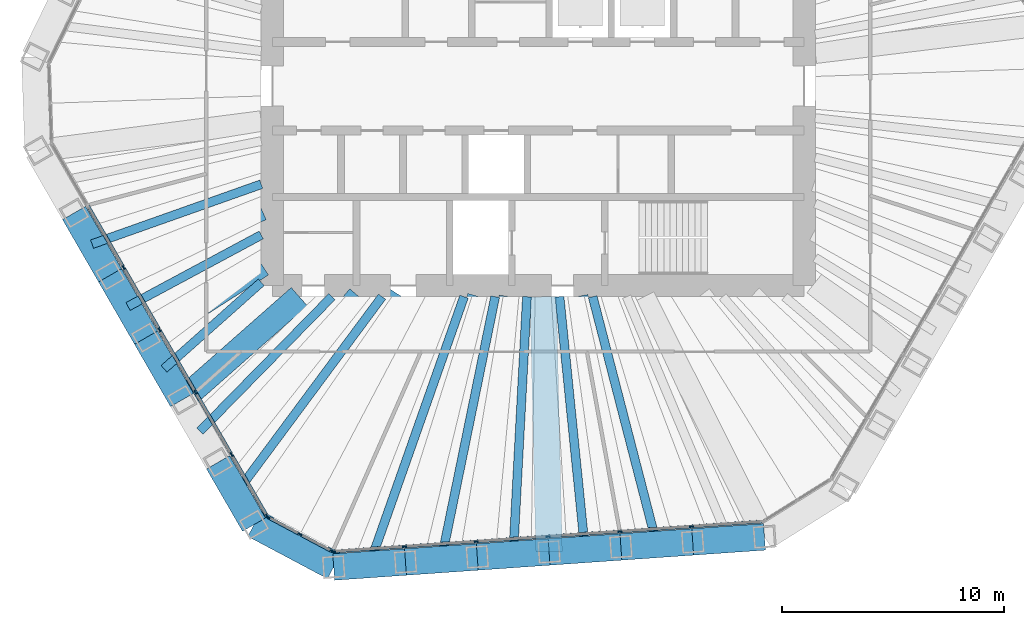
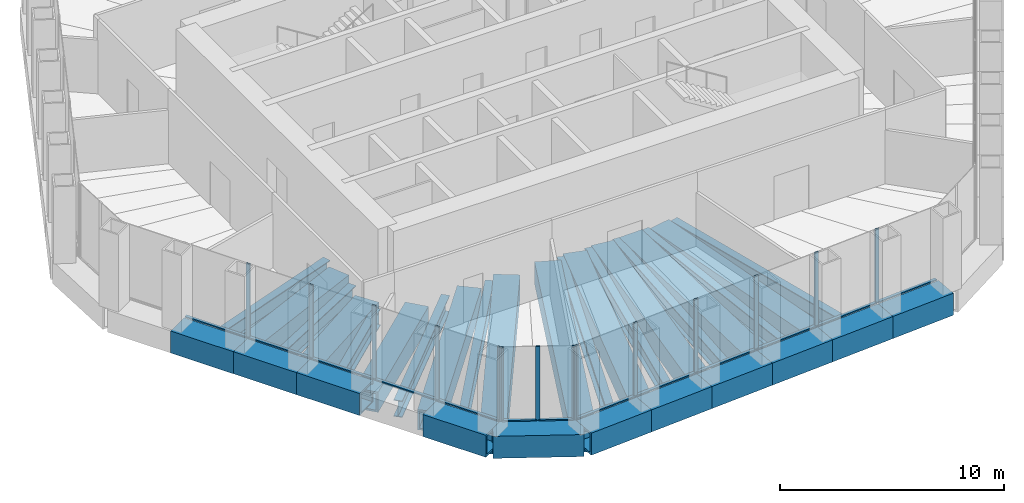
# One storey, part 2 of 19: 38 members, 20 beams, 3 elements without a shape of their own.
"""IFC4 building model written with IfcOpenShell, lengths in metres."""

import ifcopenshell
import ifcopenshell.guid

model = None  # the IFC model being written
_history = None  # IfcOwnerHistory: only IFC2X3 demands one
_inside = {}  # id of a spatial element -> (the spatial element, [elements in it])
_under = {}  # id of a project, library or spatial element -> (it, [spatial elements below it])
_declared = {}  # id of a project -> (the project, [libraries it declares])
_typed = {}  # id of a type object -> (the type object, [elements of that type])
_made_of = {}  # id of a material, layer set ... -> (it, [elements and type objects made of it])


def new_model(schema):
    """Start an empty IFC model of exactly this schema.

    Asked for "IFC4X3", IfcOpenShell would pick the latest addendum, in which some entities
    have other attributes; the version numbers below select the first issue.
    IFC2X3 requires an IfcOwnerHistory on every rooted entity: one is made here for all.
    """
    global model, _history
    if schema == "IFC4X3":
        model = ifcopenshell.file(schema_version=(4, 3, 0, 0))
    else:
        model = ifcopenshell.file(schema=schema)
    _inside.clear()
    _under.clear()
    _declared.clear()
    _typed.clear()
    _made_of.clear()
    _history = None
    if model.schema == "IFC2X3":
        org = make("IfcOrganization", Name="unknown")
        user = make(
            "IfcPersonAndOrganization",
            ThePerson=make("IfcPerson", FamilyName="unknown"),
            TheOrganization=org,
        )
        app = make(
            "IfcApplication",
            ApplicationDeveloper=org,
            Version="unknown",
            ApplicationFullName="unknown",
            ApplicationIdentifier="unknown",
        )
        _history = make(
            "IfcOwnerHistory",
            OwningUser=user,
            OwningApplication=app,
            ChangeAction="ADDED",
            CreationDate=0,
        )
    return model


def make(cls, **values):
    """One entity of the class cls with the attributes given. An attribute that is None is left unset."""
    return model.create_entity(
        cls, **{name: value for name, value in values.items() if value is not None}
    )


def rooted(cls, **values):
    """An entity with a GlobalId (a new one), such as an element, a storey or a relation."""
    return make(cls, GlobalId=ifcopenshell.guid.new(), OwnerHistory=_history, **values)


def si_unit(unit_type, name, prefix=None):
    """IfcSIUnit, for example si_unit("LENGTHUNIT", "METRE", prefix="MILLI")."""
    return make("IfcSIUnit", UnitType=unit_type, Prefix=prefix, Name=name)


def assignment(units):
    """IfcUnitAssignment: the units of a project."""
    return None if units is None else make("IfcUnitAssignment", Units=units)


def point(xyz):
    """IfcCartesianPoint."""
    return None if xyz is None else make("IfcCartesianPoint", Coordinates=xyz)


def direction(xyz):
    """IfcDirection."""
    return None if xyz is None else make("IfcDirection", DirectionRatios=xyz)


def frame(location, z_axis=None, x_axis=None):
    """IfcAxis2Placement3D, a coordinate frame: its origin and axes. An axis left out is left unset."""
    return make(
        "IfcAxis2Placement3D",
        Location=point(location),
        Axis=direction(z_axis),
        RefDirection=direction(x_axis),
    )


def frame_2d(location, x_axis=None):
    """IfcAxis2Placement2D, a coordinate frame in the plane: its origin and x axis."""
    return make(
        "IfcAxis2Placement2D", Location=point(location), RefDirection=direction(x_axis)
    )


def origin():
    """The frame at (0, 0, 0) with its axes left unset."""
    return frame((0.0, 0.0, 0.0))


def origin_2d():
    """The frame at (0, 0) in the plane with its x axis left unset."""
    return frame_2d((0.0, 0.0))


def place(relative_to, where):
    """IfcLocalPlacement: puts the frame where relative to a parent placement (None: the world)."""
    return make(
        "IfcLocalPlacement", PlacementRelTo=relative_to, RelativePlacement=where
    )


def context(
    kind, dimensions, precision=None, world=None, true_north=None, identifier=None
):
    """IfcGeometricRepresentationContext, for example the 3D "Model" context."""
    return make(
        "IfcGeometricRepresentationContext",
        ContextIdentifier=identifier,
        ContextType=kind,
        CoordinateSpaceDimension=dimensions,
        Precision=precision,
        WorldCoordinateSystem=world,
        TrueNorth=true_north,
    )


def subcontext(parent, identifier, kind, view, scale=None):
    """IfcGeometricRepresentationSubContext, for example "Body" below "Model"."""
    return make(
        "IfcGeometricRepresentationSubContext",
        ContextIdentifier=identifier,
        ContextType=kind,
        ParentContext=parent,
        TargetScale=scale,
        TargetView=view,
    )


def project(units=None, contexts=None):
    """IfcProject with its units and contexts."""
    return rooted(
        "IfcProject",
        Name="project",
        RepresentationContexts=contexts,
        UnitsInContext=assignment(units),
    )


def spatial(cls, under=None, at=None, **own):
    """A site, building, storey or space (cls), placed at a placement, below another one or the project."""
    s = rooted(cls, ObjectPlacement=at, **own)
    if under is not None:
        _under.setdefault(under.id(), (under, []))[1].append(s)
    return s


def profile(cls, at=None, kind="AREA", **sizes):
    """A parametric profile (cls). Its sizes go by their IFC names, for example OverallWidth=200.0."""
    return make(cls, ProfileType=kind, Position=at, **sizes)


def rectangle(**sizes):
    """IfcRectangleProfileDef."""
    return profile("IfcRectangleProfileDef", **sizes)


def hollow_rectangle(**sizes):
    """IfcRectangleHollowProfileDef."""
    return profile("IfcRectangleHollowProfileDef", **sizes)


def i_section(**sizes):
    """IfcIShapeProfileDef."""
    return profile("IfcIShapeProfileDef", **sizes)


def extrude(swept, where, along, depth):
    """IfcExtrudedAreaSolid: the profile swept, set in the frame where, extruded along a direction by depth."""
    return make(
        "IfcExtrudedAreaSolid",
        SweptArea=swept,
        Position=where,
        ExtrudedDirection=direction(along),
        Depth=depth,
    )


def shape(context_of_items, identifier, shape_type, items):
    """IfcShapeRepresentation: the items that make up one representation, for example the "Body"."""
    return make(
        "IfcShapeRepresentation",
        ContextOfItems=context_of_items,
        RepresentationIdentifier=identifier,
        RepresentationType=shape_type,
        Items=items,
    )


def material(Name=None, Category=None):
    """IfcMaterial."""
    return make("IfcMaterial", Name=Name, Category=Category)


def material_profile(
    of_material, cross_section, Name=None, Category=None, Priority=None
):
    """IfcMaterialProfile: a cross section and its material."""
    return make(
        "IfcMaterialProfile",
        Name=Name,
        Material=of_material,
        Profile=cross_section,
        Priority=Priority,
        Category=Category,
    )


def profile_set(profiles, Name=None, composite=None):
    """IfcMaterialProfileSet."""
    return make(
        "IfcMaterialProfileSet",
        Name=Name,
        MaterialProfiles=profiles,
        CompositeProfile=composite,
    )


def made_of(thing, what):
    """Note that an element or type object is made of a material, layer set ...; save() writes the relation."""
    if what is not None:
        _made_of.setdefault(what.id(), (what, []))[1].append(thing)
    return thing


def type_object(cls, material=None, **own):
    """A type object (cls), such as IfcWallType, which elements share."""
    return made_of(rooted(cls, **own), material)


def element(
    cls,
    number,
    at=None,
    inside=None,
    cuts=None,
    type_object=None,
    material=None,
    context=None,
    identifier="Body",
    shape_type=None,
    held_by="IfcProductDefinitionShape",
    body=None,
    shapes=None,
    **own,
):
    """One element of the class cls, such as IfcWall. Its Tag is "e" and its number.

    at: its placement. inside: the storey or other place that contains it. cuts: it is an
    opening in that element (IfcRelVoidsElement). A single representation is given by context,
    identifier, shape_type and body (its items); several are given by shapes. held_by: the class
    of the entity that holds the representations. save() writes the other relations.
    """
    e = rooted(cls, Tag="e%d" % number, ObjectPlacement=at, **own)
    if body is not None:
        shapes = [shape(context, identifier, shape_type, body)]
    if shapes is not None:
        e.Representation = make(held_by, Representations=shapes)
    if inside is not None:
        _inside.setdefault(inside.id(), (inside, []))[1].append(e)
    if cuts is not None:
        rooted(
            "IfcRelVoidsElement", RelatingBuildingElement=cuts, RelatedOpeningElement=e
        )
    if type_object is not None:
        _typed.setdefault(type_object.id(), (type_object, []))[1].append(e)
    return made_of(e, material)


def aggregate(whole, parts):
    """IfcRelAggregates: a whole, such as a stair, and the parts it consists of."""
    return rooted("IfcRelAggregates", RelatingObject=whole, RelatedObjects=parts)


def save(model, path):
    """Write the relations noted so far, then the file.

    IfcRelAggregates (storeys below a building ...), IfcRelContainedInSpatialStructure (elements
    in a storey), IfcRelDefinesByType, IfcRelAssociatesMaterial and IfcRelDeclares: one each for
    every whole, place, type object, material and project.
    """
    for whole, parts in _under.values():
        aggregate(whole, parts)
    for where, things in _inside.values():
        rooted(
            "IfcRelContainedInSpatialStructure",
            RelatedElements=things,
            RelatingStructure=where,
        )
    for kind, things in _typed.values():
        rooted("IfcRelDefinesByType", RelatedObjects=things, RelatingType=kind)
    for what, things in _made_of.values():
        rooted("IfcRelAssociatesMaterial", RelatedObjects=things, RelatingMaterial=what)
    for by, libraries in _declared.values():
        rooted("IfcRelDeclares", RelatingContext=by, RelatedDefinitions=libraries)
    model.write(path)


model = new_model("IFC4")

# Units and contexts
model_context = context("Model", 3, precision=1e-05, world=origin(), true_north=direction((0.0, 1.0)))
body_context = subcontext(model_context, "Body", "Model", "MODEL_VIEW")
ifc_project = project(units=[si_unit("LENGTHUNIT", "METRE"), si_unit("AREAUNIT", "SQUARE_METRE"), si_unit("VOLUMEUNIT", "CUBIC_METRE"), si_unit("PLANEANGLEUNIT", "RADIAN"), si_unit("MASSUNIT", "GRAM", prefix="KILO")], contexts=[model_context])

# Site, building, storey
site_placement = place(None, origin())
site = spatial("IfcSite", under=ifc_project, at=site_placement, CompositionType="ELEMENT")
building_placement = place(site_placement, origin())
building = spatial("IfcBuilding", under=site, at=building_placement, Name="Qingtian Harvest Tower", CompositionType="ELEMENT")
storey_placement = place(building_placement, frame((0.0, 0.0, 262.0)))
storey = spatial("IfcBuildingStorey", under=building, at=storey_placement, Name="L57", CompositionType="ELEMENT", Elevation=262.0)

# Members
ifc_material_1 = material(Name="Steel SM570MC", Category="steel")
ifc_material_profile_1 = material_profile(ifc_material_1, hollow_rectangle(XDim=1.199951171875, YDim=1.199951171875, WallThickness=0.10009765625, at=origin_2d()), Name="BOX1200x1200x100")
ifc_profile_set_1 = profile_set([ifc_material_profile_1], Name="Steel SM570MC")
member_type_1 = type_object("IfcMemberType", Name="Belt truss chord BC3 BOX1200x1200x100", PredefinedType="CHORD", material=ifc_profile_set_1)
member_1_placement = place(storey_placement, frame((10.20947265625, -20.33740234375, -0.60009765625), z_axis=(-0.9975644093, -0.069751339047, 0.0), x_axis=(0.069751339047, -0.9975644093, 0.0)))
element("IfcMember", 1, at=member_1_placement, inside=storey, type_object=member_type_1, Name="Belt chord BC3 S0", PredefinedType="CHORD", context=body_context, shape_type="SweptSolid", body=[
    extrude(hollow_rectangle(XDim=1.199951171875, YDim=1.199951171875, WallThickness=0.10009765625, at=origin_2d()), origin(), (0.0, 0.0, 1.0), 3.248046875),
])
member_2_placement = place(storey_placement, frame((6.96923828125, -20.56396484375, -0.60009765625), z_axis=(-0.997564043571, -0.069756569394, 0.0), x_axis=(0.069756569394, -0.997564043571, 0.0)))
element("IfcMember", 2, at=member_2_placement, inside=storey, type_object=member_type_1, Name="Belt chord BC3 S1", PredefinedType="CHORD", context=body_context, shape_type="SweptSolid", body=[
    extrude(hollow_rectangle(XDim=1.199951171875, YDim=1.199951171875, WallThickness=0.10009765625, at=origin_2d()), origin(), (0.0, 0.0, 1.0), 3.247802734375),
])
member_3_placement = place(storey_placement, frame((3.729248046875, -20.79052734375, -0.60009765625), z_axis=(-0.9975644093, -0.069751339047, 0.0), x_axis=(0.069751339047, -0.9975644093, 0.0)))
element("IfcMember", 3, at=member_3_placement, inside=storey, type_object=member_type_1, Name="Belt chord BC3 S2", PredefinedType="CHORD", context=body_context, shape_type="SweptSolid", body=[
    extrude(hollow_rectangle(XDim=1.199951171875, YDim=1.199951171875, WallThickness=0.10009765625, at=origin_2d()), origin(), (0.0, 0.0, 1.0), 3.248046875),
])
member_4_placement = place(storey_placement, frame((0.489013671875, -21.01708984375, -0.60009765625), z_axis=(-0.997564043571, -0.069756569394, 0.0), x_axis=(0.069756569394, -0.997564043571, 0.0)))
element("IfcMember", 4, at=member_4_placement, inside=storey, type_object=member_type_1, Name="Belt chord BC3 S3", PredefinedType="CHORD", context=body_context, shape_type="SweptSolid", body=[
    extrude(hollow_rectangle(XDim=1.199951171875, YDim=1.199951171875, WallThickness=0.10009765625, at=origin_2d()), origin(), (0.0, 0.0, 1.0), 3.247802734375),
])
member_5_placement = place(storey_placement, frame((-2.7509765625, -21.24365234375, -0.60009765625), z_axis=(-0.9975644093, -0.069751339047, 0.0), x_axis=(0.069751339047, -0.9975644093, 0.0)))
element("IfcMember", 5, at=member_5_placement, inside=storey, type_object=member_type_1, Name="Belt chord BC3 S4", PredefinedType="CHORD", context=body_context, shape_type="SweptSolid", body=[
    extrude(hollow_rectangle(XDim=1.199951171875, YDim=1.199951171875, WallThickness=0.10009765625, at=origin_2d()), origin(), (0.0, 0.0, 1.0), 3.248046875),
])
member_6_placement = place(storey_placement, frame((-5.9912109375, -21.47021484375, -0.60009765625), z_axis=(-0.997564043571, -0.069756569394, 0.0), x_axis=(0.069756569394, -0.997564043571, 0.0)))
element("IfcMember", 6, at=member_6_placement, inside=storey, type_object=member_type_1, Name="Belt chord BC3 S5", PredefinedType="CHORD", context=body_context, shape_type="SweptSolid", body=[
    extrude(hollow_rectangle(XDim=1.199951171875, YDim=1.199951171875, WallThickness=0.10009765625, at=origin_2d()), origin(), (0.0, 0.0, 1.0), 3.247802734375),
])
member_7_placement = place(storey_placement, frame((-9.231201171875, -21.69677734375, -0.60009765625), z_axis=(-0.882943273379, 0.469479686456, 0.0), x_axis=(-0.469479686456, -0.882943273379, 0.0)))
element("IfcMember", 7, at=member_7_placement, inside=storey, type_object=member_type_1, Name="Belt chord BC3 SC", PredefinedType="CHORD", context=body_context, shape_type="SweptSolid", body=[
    extrude(hollow_rectangle(XDim=1.199951171875, YDim=1.199951171875, WallThickness=0.10009765625, at=origin_2d()), origin(), (0.0, 0.0, 1.0), 4.07080078125),
])
for number, where, z_axis, x_axis, name in (
    (8, (-12.825439453125, -19.78564453125, -0.60009765625), (-0.500019593356, 0.866014091259, 0.0), (-0.866014091259, -0.500019593356, 0.0), "Belt chord BC3 SW0"),
    (9, (-16.073486328125, -14.159912109375, -0.60009765625), (-0.500019593356, 0.866014091259, 0.0), (-0.866014091259, -0.500019593356, 0.0), "Belt chord BC3 SW2"),
):
    element("IfcMember", number, at=place(storey_placement, frame(where, z_axis=z_axis, x_axis=x_axis)), inside=storey, type_object=member_type_1, Name=name, PredefinedType="CHORD", context=body_context, shape_type="SweptSolid", body=[
        extrude(hollow_rectangle(XDim=1.199951171875, YDim=1.199951171875, WallThickness=0.10009765625, at=origin_2d()), origin(), (0.0, 0.0, 1.0), 3.247802734375),
    ])
member_8_placement = place(storey_placement, frame((-17.697509765625, -11.34716796875, -0.60009765625), z_axis=(-0.499987045439, 0.866032882975, 0.0), x_axis=(-0.866032882975, -0.499987045439, 0.0)))
element("IfcMember", 10, at=member_8_placement, inside=storey, type_object=member_type_1, Name="Belt chord BC3 SW3", PredefinedType="CHORD", context=body_context, shape_type="SweptSolid", body=[
    extrude(hollow_rectangle(XDim=1.199951171875, YDim=1.199951171875, WallThickness=0.10009765625, at=origin_2d()), origin(), (0.0, 0.0, 1.0), 3.248046875),
])
member_9_placement = place(storey_placement, frame((-19.321533203125, -8.5341796875, -0.60009765625), z_axis=(-0.500019593356, 0.866014091259, 0.0), x_axis=(-0.866014091259, -0.500019593356, 0.0)))
element("IfcMember", 11, at=member_9_placement, inside=storey, type_object=member_type_1, Name="Belt chord BC3 SW4", PredefinedType="CHORD", context=body_context, shape_type="SweptSolid", body=[
    extrude(hollow_rectangle(XDim=1.199951171875, YDim=1.199951171875, WallThickness=0.10009765625, at=origin_2d()), origin(), (0.0, 0.0, 1.0), 3.247802734375),
])

# Beams
ifc_material_2 = material(Name="Steel SN490B", Category="steel")
ifc_material_profile_2 = material_profile(ifc_material_2, i_section(OverallWidth=0.39990234375, OverallDepth=0.89990234375, WebThickness=0.01904296875, FlangeThickness=0.035888671875, at=origin_2d()), Name="H900x400x19x36")
ifc_profile_set_2 = profile_set([ifc_material_profile_2], Name="Steel SN490B")
beam_type_1 = type_object("IfcBeamType", Name="Floor joist J4 H900x400x19x36", PredefinedType="JOIST", material=ifc_profile_set_2)
beam_1_placement = place(storey_placement, frame((5.349365234375, -20.67724609375, -0.6201171875), z_axis=(-0.250458686855, 0.968127288211, 0.0), x_axis=(-0.968127288211, -0.250458686855, 0.0)))
element("IfcBeam", 12, at=beam_1_placement, inside=storey, type_object=beam_type_1, Name="Floor joist J4 S1", PredefinedType="JOIST", context=body_context, shape_type="SweptSolid", body=[
    extrude(i_section(OverallWidth=0.39990234375, OverallDepth=0.89990234375, WebThickness=0.01904296875, FlangeThickness=0.035888671875, at=origin_2d()), origin(), (0.0, 0.0, 1.0), 11.545166015625),
])
beam_2_placement = place(storey_placement, frame((2.109130859375, -20.90380859375, -0.6201171875), z_axis=(-0.100389444623, 0.994948219461, 0.0), x_axis=(-0.994948219461, -0.100389444623, 0.0)))
element("IfcBeam", 13, at=beam_2_placement, inside=storey, type_object=beam_type_1, Name="Floor joist J4 S2", PredefinedType="JOIST", context=body_context, shape_type="SweptSolid", body=[
    extrude(i_section(OverallWidth=0.39990234375, OverallDepth=0.89990234375, WebThickness=0.01904296875, FlangeThickness=0.035888671875, at=origin_2d()), origin(), (0.0, 0.0, 1.0), 11.461669921875),
])
beam_3_placement = place(storey_placement, frame((-1.130859375, -21.13037109375, -0.6201171875), z_axis=(0.053431269754, 0.998571529442, 0.0), x_axis=(-0.998571529442, 0.053431269754, 0.0)))
element("IfcBeam", 14, at=beam_3_placement, inside=storey, type_object=beam_type_1, Name="Floor joist J4 S3", PredefinedType="JOIST", context=body_context, shape_type="SweptSolid", body=[
    extrude(i_section(OverallWidth=0.39990234375, OverallDepth=0.89990234375, WebThickness=0.01904296875, FlangeThickness=0.035888671875, at=origin_2d()), origin(), (0.0, 0.0, 1.0), 11.64697265625),
])
beam_4_placement = place(storey_placement, frame((-4.37109375, -21.35693359375, -0.6201171875), z_axis=(0.20051328843, 0.979690982485, 0.0), x_axis=(-0.979690982485, 0.20051328843, 0.0)))
element("IfcBeam", 15, at=beam_4_placement, inside=storey, type_object=beam_type_1, Name="Floor joist J4 S4", PredefinedType="JOIST", context=body_context, shape_type="SweptSolid", body=[
    extrude(i_section(OverallWidth=0.39990234375, OverallDepth=0.89990234375, WebThickness=0.01904296875, FlangeThickness=0.035888671875, at=origin_2d()), origin(), (0.0, 0.0, 1.0), 12.102783203125),
])
beam_5_placement = place(storey_placement, frame((-7.611083984375, -21.58349609375, -0.6201171875), z_axis=(0.332557973755, 0.943082814016, 0.0), x_axis=(-0.943082814016, 0.332557973755, 0.0)))
element("IfcBeam", 16, at=beam_5_placement, inside=storey, type_object=beam_type_1, Name="Floor joist J4 S5", PredefinedType="JOIST", context=body_context, shape_type="SweptSolid", body=[
    extrude(i_section(OverallWidth=0.39990234375, OverallDepth=0.89990234375, WebThickness=0.01904296875, FlangeThickness=0.035888671875, at=origin_2d()), origin(), (0.0, 0.0, 1.0), 12.812744140625),
])
beam_6_placement = place(storey_placement, frame((-13.637451171875, -18.37939453125, -0.6201171875), z_axis=(0.59587265023, 0.80307894052, 0.0), x_axis=(-0.80307894052, 0.59587265023, 0.0)))
element("IfcBeam", 17, at=beam_6_placement, inside=storey, type_object=beam_type_1, Name="Floor joist J4 SW0", PredefinedType="JOIST", context=body_context, shape_type="SweptSolid", body=[
    extrude(i_section(OverallWidth=0.39990234375, OverallDepth=0.89990234375, WebThickness=0.01904296875, FlangeThickness=0.035888671875, at=origin_2d()), origin(), (0.0, 0.0, 1.0), 11.056640625),
])
beam_7_placement = place(storey_placement, frame((-15.261474609375, -15.56640625, -0.6201171875), z_axis=(0.700074571426, 0.714069740602, 0.0), x_axis=(-0.714069740602, 0.700074571426, 0.0)))
element("IfcBeam", 18, at=beam_7_placement, inside=storey, type_object=beam_type_1, Name="Floor joist J4 SW1", PredefinedType="JOIST", context=body_context, shape_type="SweptSolid", body=[
    extrude(i_section(OverallWidth=0.39990234375, OverallDepth=0.89990234375, WebThickness=0.01904296875, FlangeThickness=0.035888671875, at=origin_2d()), origin(), (0.0, 0.0, 1.0), 8.49560546875),
])
beam_8_placement = place(storey_placement, frame((-16.885498046875, -12.753662109375, -0.6201171875), z_axis=(0.746957180478, 0.664872146004, 0.0), x_axis=(-0.664872146004, 0.746957180478, 0.0)))
element("IfcBeam", 19, at=beam_8_placement, inside=storey, type_object=beam_type_1, Name="Floor joist J4 SW2", PredefinedType="JOIST", context=body_context, shape_type="SweptSolid", body=[
    extrude(i_section(OverallWidth=0.39990234375, OverallDepth=0.89990234375, WebThickness=0.01904296875, FlangeThickness=0.035888671875, at=origin_2d()), origin(), (0.0, 0.0, 1.0), 5.87109375),
])
beam_9_placement = place(storey_placement, frame((-18.509521484375, -9.940673828125, -0.6201171875), z_axis=(0.880981997123, 0.473149786795, 0.0), x_axis=(-0.473149786795, 0.880981997123, 0.0)))
element("IfcBeam", 20, at=beam_9_placement, inside=storey, type_object=beam_type_1, Name="Floor joist J4 SW3", PredefinedType="JOIST", context=body_context, shape_type="SweptSolid", body=[
    extrude(i_section(OverallWidth=0.39990234375, OverallDepth=0.89990234375, WebThickness=0.01904296875, FlangeThickness=0.035888671875, at=origin_2d()), origin(), (0.0, 0.0, 1.0), 6.8212890625),
])
beam_10_placement = place(storey_placement, frame((-20.133544921875, -7.1279296875, -0.6201171875), z_axis=(0.942662600818, 0.333747241215, 0.0), x_axis=(-0.333747241215, 0.942662600818, 0.0)))
element("IfcBeam", 21, at=beam_10_placement, inside=storey, type_object=beam_type_1, Name="Floor joist J4 SW4", PredefinedType="JOIST", context=body_context, shape_type="SweptSolid", body=[
    extrude(i_section(OverallWidth=0.39990234375, OverallDepth=0.89990234375, WebThickness=0.01904296875, FlangeThickness=0.035888671875, at=origin_2d()), origin(), (0.0, 0.0, 1.0), 8.097900390625),
])

# Curtain wall, members
ifc_material_3 = material(Name="Bronze-anodised aluminium curtain wall", Category="aluminium")
curtain_wall_type = type_object("IfcCurtainWallType", Name="Curtain wall CW3 sky lobby", PredefinedType="USERDEFINED", material=ifc_material_3)
curtain_wall_1_placement = place(storey_placement, origin())
curtain_wall_1 = element("IfcCurtainWall", 22, at=curtain_wall_1_placement, inside=storey, type_object=curtain_wall_type, Name="Curtain wall CW3 L57 S0-5", ObjectType="RECESSED CURTAIN WALL", PredefinedType="USERDEFINED")
ifc_material_4 = material(Name="Bronze-anodised aluminium mullion", Category="aluminium")
ifc_material_profile_3 = material_profile(ifc_material_4, rectangle(XDim=0.06494140625, YDim=0.199951171875, at=origin_2d()), Name="AL 65x200")
ifc_profile_set_3 = profile_set([ifc_material_profile_3], Name="Bronze-anodised aluminium mullion")
member_type_2 = type_object("IfcMemberType", Name="Mullion CWM 65x200", PredefinedType="MULLION", material=ifc_profile_set_3)
member_10_placement = place(storey_placement, frame((6.92041015625, -19.86572265625, 0.0), z_axis=(0.0, 0.0, 1.0), x_axis=(0.069756473744, -0.99756405026, 0.0)))
member_10 = element("IfcMember", 23, at=member_10_placement, type_object=member_type_2, Name="CW3 mullion 2", PredefinedType="MULLION", context=body_context, shape_type="SweptSolid", body=[
    extrude(rectangle(XDim=0.06494140625, YDim=0.199951171875, at=origin_2d()), origin(), (0.0, 0.0, 1.0), 4.030029296875),
])
member_11_placement = place(storey_placement, frame((3.680419921875, -20.09228515625, 0.0), z_axis=(0.0, 0.0, 1.0), x_axis=(0.069756473744, -0.99756405026, 0.0)))
member_11 = element("IfcMember", 24, at=member_11_placement, type_object=member_type_2, Name="CW3 mullion 3", PredefinedType="MULLION", context=body_context, shape_type="SweptSolid", body=[
    extrude(rectangle(XDim=0.06494140625, YDim=0.199951171875, at=origin_2d()), origin(), (0.0, 0.0, 1.0), 4.030029296875),
])
member_12_placement = place(storey_placement, frame((0.440185546875, -20.31884765625, 0.0), z_axis=(0.0, 0.0, 1.0), x_axis=(0.069756473744, -0.99756405026, 0.0)))
member_12 = element("IfcMember", 25, at=member_12_placement, type_object=member_type_2, Name="CW3 mullion 4", PredefinedType="MULLION", context=body_context, shape_type="SweptSolid", body=[
    extrude(rectangle(XDim=0.06494140625, YDim=0.199951171875, at=origin_2d()), origin(), (0.0, 0.0, 1.0), 4.030029296875),
])
member_13_placement = place(storey_placement, frame((-2.7998046875, -20.54541015625, 0.0), z_axis=(0.0, 0.0, 1.0), x_axis=(0.069756473744, -0.99756405026, 0.0)))
member_13 = element("IfcMember", 26, at=member_13_placement, type_object=member_type_2, Name="CW3 mullion 5", PredefinedType="MULLION", context=body_context, shape_type="SweptSolid", body=[
    extrude(rectangle(XDim=0.06494140625, YDim=0.199951171875, at=origin_2d()), origin(), (0.0, 0.0, 1.0), 4.030029296875),
])
member_14_placement = place(storey_placement, frame((-6.0400390625, -20.77197265625, 0.0), z_axis=(0.0, 0.0, 1.0), x_axis=(0.069756473744, -0.99756405026, 0.0)))
member_14 = element("IfcMember", 27, at=member_14_placement, type_object=member_type_2, Name="CW3 mullion 6", PredefinedType="MULLION", context=body_context, shape_type="SweptSolid", body=[
    extrude(rectangle(XDim=0.06494140625, YDim=0.199951171875, at=origin_2d()), origin(), (0.0, 0.0, 1.0), 4.030029296875),
])
member_15_placement = place(storey_placement, frame((-9.24755859375, -20.996337890625, 0.0), z_axis=(0.0, 0.0, 1.0), x_axis=(0.069756473744, -0.99756405026, 0.0)))
member_15 = element("IfcMember", 28, at=member_15_placement, type_object=member_type_2, Name="CW3 mullion 7", PredefinedType="MULLION", context=body_context, shape_type="SweptSolid", body=[
    extrude(rectangle(XDim=0.06494140625, YDim=0.199951171875, at=origin_2d()), origin(), (0.0, 0.0, 1.0), 4.030029296875),
])

curtain_wall_2_placement = place(storey_placement, origin())
curtain_wall_2 = element("IfcCurtainWall", 29, at=curtain_wall_2_placement, inside=storey, type_object=curtain_wall_type, Name="Curtain wall CW3 L57 SC", ObjectType="RECESSED CURTAIN WALL", PredefinedType="USERDEFINED")
member_16_placement = place(storey_placement, frame((-9.308837890625, -20.983154296875, 0.0), z_axis=(0.0, 0.0, 1.0), x_axis=(-0.469471562786, -0.882947592859, 0.0)))
member_16 = element("IfcMember", 30, at=member_16_placement, type_object=member_type_2, Name="CW3 mullion 1", PredefinedType="MULLION", context=body_context, shape_type="SweptSolid", body=[
    extrude(rectangle(XDim=0.06494140625, YDim=0.199951171875, at=origin_2d()), origin(), (0.0, 0.0, 1.0), 4.030029296875),
])
member_17_placement = place(storey_placement, frame((-10.749755859375, -20.217041015625, 0.0), z_axis=(0.0, 0.0, 1.0), x_axis=(-0.469471562786, -0.882947592859, 0.0)))
member_17 = element("IfcMember", 31, at=member_17_placement, type_object=member_type_2, Name="CW3 mullion 2", PredefinedType="MULLION", context=body_context, shape_type="SweptSolid", body=[
    extrude(rectangle(XDim=0.06494140625, YDim=0.199951171875, at=origin_2d()), origin(), (0.0, 0.0, 1.0), 4.030029296875),
])
member_18_placement = place(storey_placement, frame((-12.1904296875, -19.450927734375, 0.0), z_axis=(0.0, 0.0, 1.0), x_axis=(-0.469471562786, -0.882947592859, 0.0)))
member_18 = element("IfcMember", 32, at=member_18_placement, type_object=member_type_2, Name="CW3 mullion 3", PredefinedType="MULLION", context=body_context, shape_type="SweptSolid", body=[
    extrude(rectangle(XDim=0.06494140625, YDim=0.199951171875, at=origin_2d()), origin(), (0.0, 0.0, 1.0), 4.030029296875),
])

curtain_wall_3_placement = place(storey_placement, origin())
curtain_wall_3 = element("IfcCurtainWall", 33, at=curtain_wall_3_placement, inside=storey, type_object=curtain_wall_type, Name="Curtain wall CW3 L57 SW0-5", ObjectType="RECESSED CURTAIN WALL", PredefinedType="USERDEFINED")
member_19_placement = place(storey_placement, frame((-12.2353515625, -19.40771484375, 0.0), z_axis=(0.0, 0.0, 1.0), x_axis=(-0.866025403784, -0.5, 0.0)))
member_19 = element("IfcMember", 34, at=member_19_placement, type_object=member_type_2, Name="CW3 mullion 1", PredefinedType="MULLION", context=body_context, shape_type="SweptSolid", body=[
    extrude(rectangle(XDim=0.06494140625, YDim=0.199951171875, at=origin_2d()), origin(), (0.0, 0.0, 1.0), 4.030029296875),
])
member_20_placement = place(storey_placement, frame((-13.84326171875, -16.622802734375, 0.0), z_axis=(0.0, 0.0, 1.0), x_axis=(-0.866025403784, -0.5, 0.0)))
member_20 = element("IfcMember", 35, at=member_20_placement, type_object=member_type_2, Name="CW3 mullion 2", PredefinedType="MULLION", context=body_context, shape_type="SweptSolid", body=[
    extrude(rectangle(XDim=0.06494140625, YDim=0.199951171875, at=origin_2d()), origin(), (0.0, 0.0, 1.0), 4.030029296875),
])
member_21_placement = place(storey_placement, frame((-15.46728515625, -13.81005859375, 0.0), z_axis=(0.0, 0.0, 1.0), x_axis=(-0.866025403784, -0.5, 0.0)))
member_21 = element("IfcMember", 36, at=member_21_placement, type_object=member_type_2, Name="CW3 mullion 3", PredefinedType="MULLION", context=body_context, shape_type="SweptSolid", body=[
    extrude(rectangle(XDim=0.06494140625, YDim=0.199951171875, at=origin_2d()), origin(), (0.0, 0.0, 1.0), 4.030029296875),
])
member_22_placement = place(storey_placement, frame((-17.09130859375, -10.9970703125, 0.0), z_axis=(0.0, 0.0, 1.0), x_axis=(-0.866025403784, -0.5, 0.0)))
member_22 = element("IfcMember", 37, at=member_22_placement, type_object=member_type_2, Name="CW3 mullion 4", PredefinedType="MULLION", context=body_context, shape_type="SweptSolid", body=[
    extrude(rectangle(XDim=0.06494140625, YDim=0.199951171875, at=origin_2d()), origin(), (0.0, 0.0, 1.0), 4.030029296875),
])
member_23_placement = place(storey_placement, frame((-18.71533203125, -8.184326171875, 0.0), z_axis=(0.0, 0.0, 1.0), x_axis=(-0.866025403784, -0.5, 0.0)))
member_23 = element("IfcMember", 38, at=member_23_placement, type_object=member_type_2, Name="CW3 mullion 5", PredefinedType="MULLION", context=body_context, shape_type="SweptSolid", body=[
    extrude(rectangle(XDim=0.06494140625, YDim=0.199951171875, at=origin_2d()), origin(), (0.0, 0.0, 1.0), 4.030029296875),
])

# Beams
ifc_material_5 = material(Name="Steel SM570MC", Category="steel")
ifc_material_profile_4 = material_profile(ifc_material_5, hollow_rectangle(XDim=1.199951171875, YDim=1.199951171875, WallThickness=0.10009765625, at=origin_2d()), Name="BOX1200x1200x100")
ifc_profile_set_4 = profile_set([ifc_material_profile_4], Name="Steel SM570MC")
beam_type_2 = type_object("IfcBeamType", Name="Outrigger chord beam OC2 BOX1200x1200x100", PredefinedType="BEAM", material=ifc_profile_set_4)
beam_11_placement = place(storey_placement, frame((0.489013671875, -21.01708984375, -0.77001953125), z_axis=(-0.023248050009, 0.999729727562, 0.0), x_axis=(-0.999729727562, -0.023248050009, 0.0)))
element("IfcBeam", 39, at=beam_11_placement, inside=storey, type_object=beam_type_2, Name="Floor beam OC2 S3", PredefinedType="BEAM", context=body_context, shape_type="SweptSolid", body=[
    extrude(hollow_rectangle(XDim=1.199951171875, YDim=1.199951171875, WallThickness=0.10009765625, at=origin_2d()), origin(), (0.0, 0.0, 1.0), 11.520263671875),
])
beam_12_placement = place(storey_placement, frame((-9.231201171875, -21.69677734375, -0.77001953125), z_axis=(0.391497096334, 0.920179343151, 0.0), x_axis=(-0.920179343151, 0.391497096334, 0.0)))
element("IfcBeam", 40, at=beam_12_placement, inside=storey, type_object=beam_type_2, Name="Floor beam OC2 S6", PredefinedType="BEAM", context=body_context, shape_type="SweptSolid", body=[
    extrude(hollow_rectangle(XDim=1.199951171875, YDim=1.199951171875, WallThickness=0.10009765625, at=origin_2d()), origin(), (0.0, 0.0, 1.0), 13.2548828125),
])
beam_13_placement = place(storey_placement, frame((-12.825439453125, -19.78564453125, -0.77001953125), z_axis=(0.543944801957, 0.83912099987, 0.0), x_axis=(-0.83912099987, 0.543944801957, 0.0)))
element("IfcBeam", 41, at=beam_13_placement, inside=storey, type_object=beam_type_2, Name="Floor beam OC2 SW0", PredefinedType="BEAM", context=body_context, shape_type="SweptSolid", body=[
    extrude(hollow_rectangle(XDim=1.199951171875, YDim=1.199951171875, WallThickness=0.10009765625, at=origin_2d()), origin(), (0.0, 0.0, 1.0), 12.257568359375),
])
beam_14_placement = place(storey_placement, frame((-17.697509765625, -11.34716796875, -0.77001953125), z_axis=(0.841821552392, 0.539755939225, 0.0), x_axis=(-0.539755939225, 0.841821552392, 0.0)))
element("IfcBeam", 42, at=beam_14_placement, inside=storey, type_object=beam_type_2, Name="Floor beam OC2 SW3", PredefinedType="BEAM", context=body_context, shape_type="SweptSolid", body=[
    extrude(hollow_rectangle(XDim=1.199951171875, YDim=1.199951171875, WallThickness=0.10009765625, at=origin_2d()), origin(), (0.0, 0.0, 1.0), 6.174072265625),
])
ifc_material_6 = material(Name="Steel SM570MC", Category="steel")
ifc_material_profile_5 = material_profile(ifc_material_6, hollow_rectangle(XDim=1.10009765625, YDim=1.10009765625, WallThickness=0.10009765625, at=origin_2d()), Name="BOX1100x1100x100")
ifc_profile_set_5 = profile_set([ifc_material_profile_5], Name="Steel SM570MC")
beam_type_3 = type_object("IfcBeamType", Name="Transfer floor beam FB9 BOX1100x1100x100", PredefinedType="BEAM", material=ifc_profile_set_5)
beam_15_placement = place(storey_placement, frame((3.729248046875, -20.79052734375, -0.719970703125), z_axis=(-0.176549332285, 0.984291792747, 0.0), x_axis=(-0.984291792747, -0.176549332285, 0.0)))
element("IfcBeam", 43, at=beam_15_placement, inside=storey, type_object=beam_type_3, Name="Floor beam FB9 S2", PredefinedType="BEAM", context=body_context, shape_type="SweptSolid", body=[
    extrude(hollow_rectangle(XDim=1.10009765625, YDim=1.10009765625, WallThickness=0.10009765625, at=origin_2d()), origin(), (0.0, 0.0, 1.0), 11.470703125),
])
beam_16_placement = place(storey_placement, frame((-2.7509765625, -21.24365234375, -0.719970703125), z_axis=(0.128423358095, 0.991719436683, 0.0), x_axis=(-0.991719436683, 0.128423358095, 0.0)))
element("IfcBeam", 44, at=beam_16_placement, inside=storey, type_object=beam_type_3, Name="Floor beam FB9 S4", PredefinedType="BEAM", context=body_context, shape_type="SweptSolid", body=[
    extrude(hollow_rectangle(XDim=1.10009765625, YDim=1.10009765625, WallThickness=0.10009765625, at=origin_2d()), origin(), (0.0, 0.0, 1.0), 11.841796875),
])
beam_17_placement = place(storey_placement, frame((-5.9912109375, -21.47021484375, -0.719970703125), z_axis=(0.268784556761, 0.963200322906, 0.0), x_axis=(-0.963200322906, 0.268784556761, 0.0)))
element("IfcBeam", 45, at=beam_17_placement, inside=storey, type_object=beam_type_3, Name="Floor beam FB9 S5", PredefinedType="BEAM", context=body_context, shape_type="SweptSolid", body=[
    extrude(hollow_rectangle(XDim=1.10009765625, YDim=1.10009765625, WallThickness=0.10009765625, at=origin_2d()), origin(), (0.0, 0.0, 1.0), 12.427490234375),
])
beam_18_placement = place(storey_placement, frame((-14.449462890625, -16.972900390625, -0.719970703125), z_axis=(0.64823096823, 0.761443768001, 0.0), x_axis=(-0.761443768001, 0.64823096823, 0.0)))
element("IfcBeam", 46, at=beam_18_placement, inside=storey, type_object=beam_type_3, Name="Floor beam FB9 SW1", PredefinedType="BEAM", context=body_context, shape_type="SweptSolid", body=[
    extrude(hollow_rectangle(XDim=1.10009765625, YDim=1.10009765625, WallThickness=0.10009765625, at=origin_2d()), origin(), (0.0, 0.0, 1.0), 9.814208984375),
])
beam_19_placement = place(storey_placement, frame((-16.073486328125, -14.159912109375, -0.719970703125), z_axis=(0.75036921961, 0.661018936387, 0.0), x_axis=(-0.661018936387, 0.75036921961, 0.0)))
element("IfcBeam", 47, at=beam_19_placement, inside=storey, type_object=beam_type_3, Name="Floor beam FB9 SW2", PredefinedType="BEAM", context=body_context, shape_type="SweptSolid", body=[
    extrude(hollow_rectangle(XDim=1.10009765625, YDim=1.10009765625, WallThickness=0.10009765625, at=origin_2d()), origin(), (0.0, 0.0, 1.0), 7.049560546875),
])
beam_20_placement = place(storey_placement, frame((-19.321533203125, -8.5341796875, -0.719970703125), z_axis=(0.914747389649, 0.404026253021, 0.0), x_axis=(-0.404026253021, 0.914747389649, 0.0)))
element("IfcBeam", 48, at=beam_20_placement, inside=storey, type_object=beam_type_3, Name="Floor beam FB9 SW4", PredefinedType="BEAM", context=body_context, shape_type="SweptSolid", body=[
    extrude(hollow_rectangle(XDim=1.10009765625, YDim=1.10009765625, WallThickness=0.10009765625, at=origin_2d()), origin(), (0.0, 0.0, 1.0), 7.457275390625),
])

# Member
ifc_material_7 = material(Name="Bronze-anodised aluminium transom", Category="aluminium")
ifc_material_profile_6 = material_profile(ifc_material_7, rectangle(XDim=0.14990234375, YDim=0.06494140625, at=origin_2d()), Name="AL 65x150")
ifc_profile_set_6 = profile_set([ifc_material_profile_6], Name="Bronze-anodised aluminium transom")
member_type_3 = type_object("IfcMemberType", Name="Transom CWT 65x150", PredefinedType="USERDEFINED", material=ifc_profile_set_6)
member_24_placement = place(storey_placement, frame((10.095703125, -19.6435546875, 0.032470703125), z_axis=(-0.997564955301, -0.069743529851, 0.0), x_axis=(0.069743529851, -0.997564955301, 0.0)))
member_24 = element("IfcMember", 49, at=member_24_placement, type_object=member_type_3, Name="CW3 transom 1.1", ObjectType="TRANSOM", PredefinedType="USERDEFINED", context=body_context, shape_type="SweptSolid", body=[
    extrude(rectangle(XDim=0.14990234375, YDim=0.06494140625, at=origin_2d()), origin(), (0.0, 0.0, 1.0), 3.150390625),
])

member_25_placement = place(storey_placement, frame((6.88818359375, -19.867919921875, 0.032470703125), z_axis=(-0.997566548107, -0.069720743674, 0.0), x_axis=(0.069720743674, -0.997566548107, 0.0)))
member_25 = element("IfcMember", 50, at=member_25_placement, type_object=member_type_3, Name="CW3 transom 2.1", ObjectType="TRANSOM", PredefinedType="USERDEFINED", context=body_context, shape_type="SweptSolid", body=[
    extrude(rectangle(XDim=0.14990234375, YDim=0.06494140625, at=origin_2d()), origin(), (0.0, 0.0, 1.0), 3.18310546875),
])

member_26_placement = place(storey_placement, frame((3.64794921875, -20.094482421875, 0.032470703125), z_axis=(-0.997566548107, -0.069720743674, 0.0), x_axis=(0.069720743674, -0.997566548107, 0.0)))
member_26 = element("IfcMember", 51, at=member_26_placement, type_object=member_type_3, Name="CW3 transom 3.1", ObjectType="TRANSOM", PredefinedType="USERDEFINED", context=body_context, shape_type="SweptSolid", body=[
    extrude(rectangle(XDim=0.14990234375, YDim=0.06494140625, at=origin_2d()), origin(), (0.0, 0.0, 1.0), 3.18310546875),
])

member_27_placement = place(storey_placement, frame((0.407958984375, -20.321044921875, 0.032470703125), z_axis=(-0.997566548107, -0.069720743674, 0.0), x_axis=(0.069720743674, -0.997566548107, 0.0)))
member_27 = element("IfcMember", 52, at=member_27_placement, type_object=member_type_3, Name="CW3 transom 4.1", ObjectType="TRANSOM", PredefinedType="USERDEFINED", context=body_context, shape_type="SweptSolid", body=[
    extrude(rectangle(XDim=0.14990234375, YDim=0.06494140625, at=origin_2d()), origin(), (0.0, 0.0, 1.0), 3.18310546875),
])

member_28_placement = place(storey_placement, frame((-2.832275390625, -20.547607421875, 0.032470703125), z_axis=(-0.997561210613, -0.06979707071, 0.0), x_axis=(0.06979707071, -0.997561210613, 0.0)))
member_28 = element("IfcMember", 53, at=member_28_placement, type_object=member_type_3, Name="CW3 transom 5.1", ObjectType="TRANSOM", PredefinedType="USERDEFINED", context=body_context, shape_type="SweptSolid", body=[
    extrude(rectangle(XDim=0.14990234375, YDim=0.06494140625, at=origin_2d()), origin(), (0.0, 0.0, 1.0), 3.18310546875),
])

member_29_placement = place(storey_placement, frame((-6.072509765625, -20.774169921875, 0.032470703125), z_axis=(-0.997564955301, -0.069743529851, 0.0), x_axis=(0.069743529851, -0.997564955301, 0.0)))
member_29 = element("IfcMember", 54, at=member_29_placement, type_object=member_type_3, Name="CW3 transom 6.1", ObjectType="TRANSOM", PredefinedType="USERDEFINED", context=body_context, shape_type="SweptSolid", body=[
    extrude(rectangle(XDim=0.14990234375, YDim=0.06494140625, at=origin_2d()), origin(), (0.0, 0.0, 1.0), 3.150390625),
])

aggregate(curtain_wall_1, [member_10, member_11, member_12, member_13, member_14, member_15, member_24, member_25, member_26, member_27, member_28, member_29])

member_30_placement = place(storey_placement, frame((-9.33740234375, -20.968017578125, 0.032470703125), z_axis=(-0.882960338349, 0.46944759122, 0.0), x_axis=(-0.46944759122, -0.882960338349, 0.0)))
member_30 = element("IfcMember", 55, at=member_30_placement, type_object=member_type_3, Name="CW3 transom 1.1", ObjectType="TRANSOM", PredefinedType="USERDEFINED", context=body_context, shape_type="SweptSolid", body=[
    extrude(rectangle(XDim=0.14990234375, YDim=0.06494140625, at=origin_2d()), origin(), (0.0, 0.0, 1.0), 1.56689453125),
])

member_31_placement = place(storey_placement, frame((-10.7783203125, -20.201904296875, 0.032470703125), z_axis=(-0.882960338349, 0.46944759122, 0.0), x_axis=(-0.46944759122, -0.882960338349, 0.0)))
member_31 = element("IfcMember", 56, at=member_31_placement, type_object=member_type_3, Name="CW3 transom 2.1", ObjectType="TRANSOM", PredefinedType="USERDEFINED", context=body_context, shape_type="SweptSolid", body=[
    extrude(rectangle(XDim=0.14990234375, YDim=0.06494140625, at=origin_2d()), origin(), (0.0, 0.0, 1.0), 1.56689453125),
])

aggregate(curtain_wall_2, [member_16, member_17, member_18, member_30, member_31])

member_32_placement = place(storey_placement, frame((-12.251708984375, -19.37939453125, 0.032470703125), z_axis=(-0.50000643655, 0.866021687608, 0.0), x_axis=(-0.866021687608, -0.50000643655, 0.0)))
member_32 = element("IfcMember", 57, at=member_32_placement, type_object=member_type_3, Name="CW3 transom 1.1", ObjectType="TRANSOM", PredefinedType="USERDEFINED", context=body_context, shape_type="SweptSolid", body=[
    extrude(rectangle(XDim=0.14990234375, YDim=0.06494140625, at=origin_2d()), origin(), (0.0, 0.0, 1.0), 3.150390625),
])

member_33_placement = place(storey_placement, frame((-13.859375, -16.5947265625, 0.032470703125), z_axis=(-0.5000079448, 0.866020816803, 0.0), x_axis=(-0.866020816803, -0.5000079448, 0.0)))
member_33 = element("IfcMember", 58, at=member_33_placement, type_object=member_type_3, Name="CW3 transom 2.1", ObjectType="TRANSOM", PredefinedType="USERDEFINED", context=body_context, shape_type="SweptSolid", body=[
    extrude(rectangle(XDim=0.14990234375, YDim=0.06494140625, at=origin_2d()), origin(), (0.0, 0.0, 1.0), 3.18310546875),
])

member_34_placement = place(storey_placement, frame((-15.4833984375, -13.78173828125, 0.032470703125), z_axis=(-0.500041159108, 0.866001639258, 0.0), x_axis=(-0.866001639258, -0.500041159108, 0.0)))
member_34 = element("IfcMember", 59, at=member_34_placement, type_object=member_type_3, Name="CW3 transom 3.1", ObjectType="TRANSOM", PredefinedType="USERDEFINED", context=body_context, shape_type="SweptSolid", body=[
    extrude(rectangle(XDim=0.14990234375, YDim=0.06494140625, at=origin_2d()), origin(), (0.0, 0.0, 1.0), 3.182861328125),
])

member_35_placement = place(storey_placement, frame((-17.107421875, -10.968994140625, 0.032470703125), z_axis=(-0.5000079448, 0.866020816803, 0.0), x_axis=(-0.866020816803, -0.5000079448, 0.0)))
member_35 = element("IfcMember", 60, at=member_35_placement, type_object=member_type_3, Name="CW3 transom 4.1", ObjectType="TRANSOM", PredefinedType="USERDEFINED", context=body_context, shape_type="SweptSolid", body=[
    extrude(rectangle(XDim=0.14990234375, YDim=0.06494140625, at=origin_2d()), origin(), (0.0, 0.0, 1.0), 3.18310546875),
])

member_36_placement = place(storey_placement, frame((-18.7314453125, -8.156005859375, 0.032470703125), z_axis=(-0.5000079448, 0.866020816803, 0.0), x_axis=(-0.866020816803, -0.5000079448, 0.0)))
member_36 = element("IfcMember", 61, at=member_36_placement, type_object=member_type_3, Name="CW3 transom 5.1", ObjectType="TRANSOM", PredefinedType="USERDEFINED", context=body_context, shape_type="SweptSolid", body=[
    extrude(rectangle(XDim=0.14990234375, YDim=0.06494140625, at=origin_2d()), origin(), (0.0, 0.0, 1.0), 3.18310546875),
])

aggregate(curtain_wall_3, [member_19, member_20, member_21, member_22, member_23, member_32, member_33, member_34, member_35, member_36])

save(model, "model.ifc")
